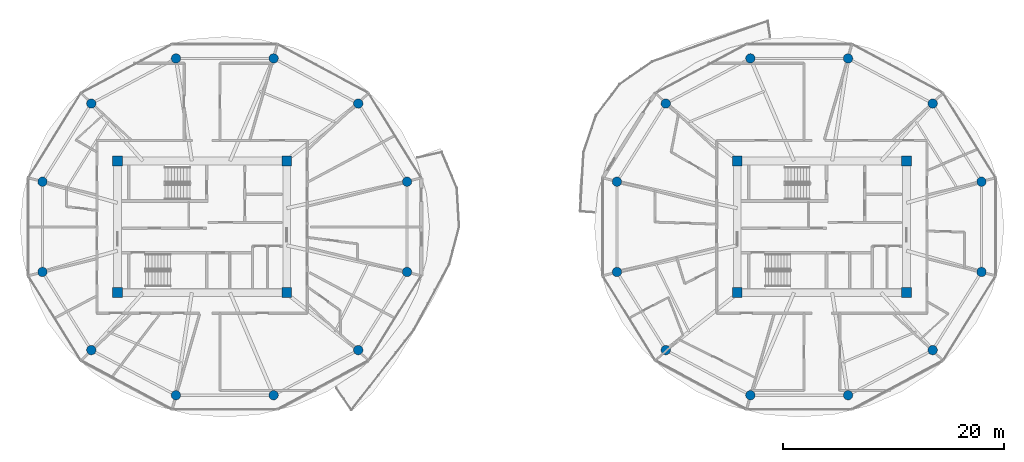
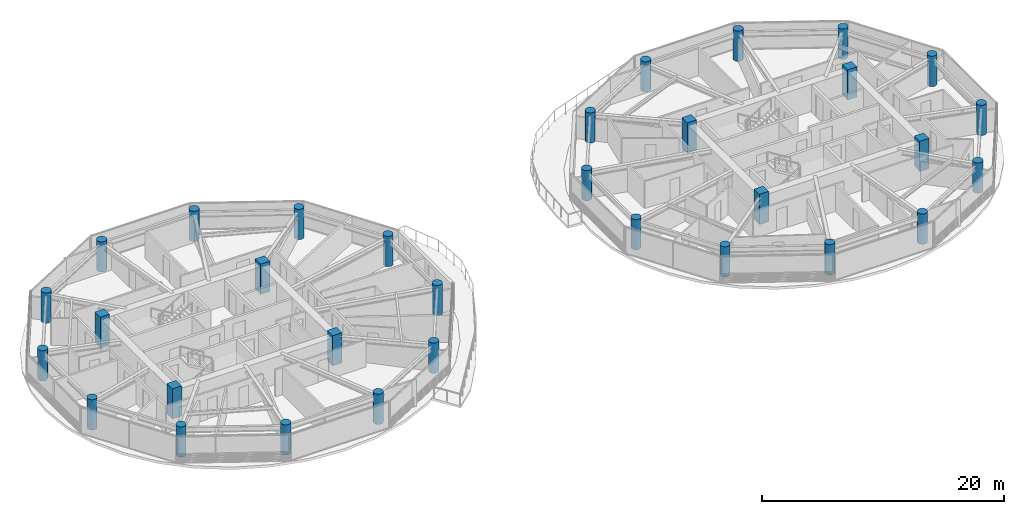
# One storey, part 1 of 22: 32 columns.
"""IFC4 building model written with IfcOpenShell, lengths in metres."""

import ifcopenshell
import ifcopenshell.guid

model = None  # the IFC model being written
_history = None  # IfcOwnerHistory: only IFC2X3 demands one
_inside = {}  # id of a spatial element -> (the spatial element, [elements in it])
_under = {}  # id of a project, library or spatial element -> (it, [spatial elements below it])
_declared = {}  # id of a project -> (the project, [libraries it declares])
_typed = {}  # id of a type object -> (the type object, [elements of that type])
_made_of = {}  # id of a material, layer set ... -> (it, [elements and type objects made of it])


def new_model(schema):
    """Start an empty IFC model of exactly this schema.

    Asked for "IFC4X3", IfcOpenShell would pick the latest addendum, in which some entities
    have other attributes; the version numbers below select the first issue.
    IFC2X3 requires an IfcOwnerHistory on every rooted entity: one is made here for all.
    """
    global model, _history
    if schema == "IFC4X3":
        model = ifcopenshell.file(schema_version=(4, 3, 0, 0))
    else:
        model = ifcopenshell.file(schema=schema)
    _inside.clear()
    _under.clear()
    _declared.clear()
    _typed.clear()
    _made_of.clear()
    _history = None
    if model.schema == "IFC2X3":
        org = make("IfcOrganization", Name="unknown")
        user = make(
            "IfcPersonAndOrganization",
            ThePerson=make("IfcPerson", FamilyName="unknown"),
            TheOrganization=org,
        )
        app = make(
            "IfcApplication",
            ApplicationDeveloper=org,
            Version="unknown",
            ApplicationFullName="unknown",
            ApplicationIdentifier="unknown",
        )
        _history = make(
            "IfcOwnerHistory",
            OwningUser=user,
            OwningApplication=app,
            ChangeAction="ADDED",
            CreationDate=0,
        )
    return model


def make(cls, **values):
    """One entity of the class cls with the attributes given. An attribute that is None is left unset."""
    return model.create_entity(
        cls, **{name: value for name, value in values.items() if value is not None}
    )


def rooted(cls, **values):
    """An entity with a GlobalId (a new one), such as an element, a storey or a relation."""
    return make(cls, GlobalId=ifcopenshell.guid.new(), OwnerHistory=_history, **values)


def si_unit(unit_type, name, prefix=None):
    """IfcSIUnit, for example si_unit("LENGTHUNIT", "METRE", prefix="MILLI")."""
    return make("IfcSIUnit", UnitType=unit_type, Prefix=prefix, Name=name)


def assignment(units):
    """IfcUnitAssignment: the units of a project."""
    return None if units is None else make("IfcUnitAssignment", Units=units)


def point(xyz):
    """IfcCartesianPoint."""
    return None if xyz is None else make("IfcCartesianPoint", Coordinates=xyz)


def direction(xyz):
    """IfcDirection."""
    return None if xyz is None else make("IfcDirection", DirectionRatios=xyz)


def frame(location, z_axis=None, x_axis=None):
    """IfcAxis2Placement3D, a coordinate frame: its origin and axes. An axis left out is left unset."""
    return make(
        "IfcAxis2Placement3D",
        Location=point(location),
        Axis=direction(z_axis),
        RefDirection=direction(x_axis),
    )


def frame_2d(location, x_axis=None):
    """IfcAxis2Placement2D, a coordinate frame in the plane: its origin and x axis."""
    return make(
        "IfcAxis2Placement2D", Location=point(location), RefDirection=direction(x_axis)
    )


def origin():
    """The frame at (0, 0, 0) with its axes left unset."""
    return frame((0.0, 0.0, 0.0))


def origin_2d():
    """The frame at (0, 0) in the plane with its x axis left unset."""
    return frame_2d((0.0, 0.0))


def place(relative_to, where):
    """IfcLocalPlacement: puts the frame where relative to a parent placement (None: the world)."""
    return make(
        "IfcLocalPlacement", PlacementRelTo=relative_to, RelativePlacement=where
    )


def context(
    kind, dimensions, precision=None, world=None, true_north=None, identifier=None
):
    """IfcGeometricRepresentationContext, for example the 3D "Model" context."""
    return make(
        "IfcGeometricRepresentationContext",
        ContextIdentifier=identifier,
        ContextType=kind,
        CoordinateSpaceDimension=dimensions,
        Precision=precision,
        WorldCoordinateSystem=world,
        TrueNorth=true_north,
    )


def subcontext(parent, identifier, kind, view, scale=None):
    """IfcGeometricRepresentationSubContext, for example "Body" below "Model"."""
    return make(
        "IfcGeometricRepresentationSubContext",
        ContextIdentifier=identifier,
        ContextType=kind,
        ParentContext=parent,
        TargetScale=scale,
        TargetView=view,
    )


def project(units=None, contexts=None):
    """IfcProject with its units and contexts."""
    return rooted(
        "IfcProject",
        Name="project",
        RepresentationContexts=contexts,
        UnitsInContext=assignment(units),
    )


def spatial(cls, under=None, at=None, **own):
    """A site, building, storey or space (cls), placed at a placement, below another one or the project."""
    s = rooted(cls, ObjectPlacement=at, **own)
    if under is not None:
        _under.setdefault(under.id(), (under, []))[1].append(s)
    return s


def profile(cls, at=None, kind="AREA", **sizes):
    """A parametric profile (cls). Its sizes go by their IFC names, for example OverallWidth=200.0."""
    return make(cls, ProfileType=kind, Position=at, **sizes)


def rectangle(**sizes):
    """IfcRectangleProfileDef."""
    return profile("IfcRectangleProfileDef", **sizes)


def circle(**sizes):
    """IfcCircleProfileDef."""
    return profile("IfcCircleProfileDef", **sizes)


def extrude(swept, where, along, depth):
    """IfcExtrudedAreaSolid: the profile swept, set in the frame where, extruded along a direction by depth."""
    return make(
        "IfcExtrudedAreaSolid",
        SweptArea=swept,
        Position=where,
        ExtrudedDirection=direction(along),
        Depth=depth,
    )


def shape(context_of_items, identifier, shape_type, items):
    """IfcShapeRepresentation: the items that make up one representation, for example the "Body"."""
    return make(
        "IfcShapeRepresentation",
        ContextOfItems=context_of_items,
        RepresentationIdentifier=identifier,
        RepresentationType=shape_type,
        Items=items,
    )


def source(mapping_origin, context_of_items, identifier, shape_type, items):
    """IfcRepresentationMap: a shape defined once, which mapped items show again and again."""
    return make(
        "IfcRepresentationMap",
        MappingOrigin=mapping_origin,
        MappedRepresentation=shape(context_of_items, identifier, shape_type, items),
    )


def transform(
    local_origin,
    x_axis=None,
    y_axis=None,
    z_axis=None,
    scale=None,
    scale2=None,
    scale3=None,
    uniform=True,
):
    """IfcCartesianTransformationOperator3D, or its non-uniform kind. x_axis, y_axis, z_axis: its Axis1, 2, 3."""
    if uniform:
        return make(
            "IfcCartesianTransformationOperator3D",
            Axis1=direction(x_axis),
            Axis2=direction(y_axis),
            LocalOrigin=point(local_origin),
            Scale=scale,
            Axis3=direction(z_axis),
        )
    return make(
        "IfcCartesianTransformationOperator3DnonUniform",
        Axis1=direction(x_axis),
        Axis2=direction(y_axis),
        LocalOrigin=point(local_origin),
        Scale=scale,
        Axis3=direction(z_axis),
        Scale2=scale2,
        Scale3=scale3,
    )


def mapped(mapping_source, mapping_target):
    """IfcMappedItem: shows the shape of a source again, moved by a transform."""
    return make(
        "IfcMappedItem", MappingSource=mapping_source, MappingTarget=mapping_target
    )


def material(Name=None, Category=None):
    """IfcMaterial."""
    return make("IfcMaterial", Name=Name, Category=Category)


def material_profile(
    of_material, cross_section, Name=None, Category=None, Priority=None
):
    """IfcMaterialProfile: a cross section and its material."""
    return make(
        "IfcMaterialProfile",
        Name=Name,
        Material=of_material,
        Profile=cross_section,
        Priority=Priority,
        Category=Category,
    )


def profile_set(profiles, Name=None, composite=None):
    """IfcMaterialProfileSet."""
    return make(
        "IfcMaterialProfileSet",
        Name=Name,
        MaterialProfiles=profiles,
        CompositeProfile=composite,
    )


def made_of(thing, what):
    """Note that an element or type object is made of a material, layer set ...; save() writes the relation."""
    if what is not None:
        _made_of.setdefault(what.id(), (what, []))[1].append(thing)
    return thing


def type_object(cls, material=None, **own):
    """A type object (cls), such as IfcWallType, which elements share."""
    return made_of(rooted(cls, **own), material)


def type_shapes(of_type, sources):
    """Give a type object the sources (RepresentationMaps) that its elements show as mapped items."""
    of_type.RepresentationMaps = sources


def element(
    cls,
    number,
    at=None,
    inside=None,
    cuts=None,
    type_object=None,
    material=None,
    context=None,
    identifier="Body",
    shape_type=None,
    held_by="IfcProductDefinitionShape",
    body=None,
    shapes=None,
    **own,
):
    """One element of the class cls, such as IfcWall. Its Tag is "e" and its number.

    at: its placement. inside: the storey or other place that contains it. cuts: it is an
    opening in that element (IfcRelVoidsElement). A single representation is given by context,
    identifier, shape_type and body (its items); several are given by shapes. held_by: the class
    of the entity that holds the representations. save() writes the other relations.
    """
    e = rooted(cls, Tag="e%d" % number, ObjectPlacement=at, **own)
    if body is not None:
        shapes = [shape(context, identifier, shape_type, body)]
    if shapes is not None:
        e.Representation = make(held_by, Representations=shapes)
    if inside is not None:
        _inside.setdefault(inside.id(), (inside, []))[1].append(e)
    if cuts is not None:
        rooted(
            "IfcRelVoidsElement", RelatingBuildingElement=cuts, RelatedOpeningElement=e
        )
    if type_object is not None:
        _typed.setdefault(type_object.id(), (type_object, []))[1].append(e)
    return made_of(e, material)


def aggregate(whole, parts):
    """IfcRelAggregates: a whole, such as a stair, and the parts it consists of."""
    return rooted("IfcRelAggregates", RelatingObject=whole, RelatedObjects=parts)


def save(model, path):
    """Write the relations noted so far, then the file.

    IfcRelAggregates (storeys below a building ...), IfcRelContainedInSpatialStructure (elements
    in a storey), IfcRelDefinesByType, IfcRelAssociatesMaterial and IfcRelDeclares: one each for
    every whole, place, type object, material and project.
    """
    for whole, parts in _under.values():
        aggregate(whole, parts)
    for where, things in _inside.values():
        rooted(
            "IfcRelContainedInSpatialStructure",
            RelatedElements=things,
            RelatingStructure=where,
        )
    for kind, things in _typed.values():
        rooted("IfcRelDefinesByType", RelatedObjects=things, RelatingType=kind)
    for what, things in _made_of.values():
        rooted("IfcRelAssociatesMaterial", RelatedObjects=things, RelatingMaterial=what)
    for by, libraries in _declared.values():
        rooted("IfcRelDeclares", RelatingContext=by, RelatedDefinitions=libraries)
    model.write(path)


model = new_model("IFC4")

# Units and contexts
model_context = context("Model", 3, precision=1e-05, world=origin(), true_north=direction((0.0, 1.0)))
body_context = subcontext(model_context, "Body", "Model", "MODEL_VIEW")
ifc_project = project(units=[si_unit("LENGTHUNIT", "METRE"), si_unit("AREAUNIT", "SQUARE_METRE"), si_unit("VOLUMEUNIT", "CUBIC_METRE"), si_unit("PLANEANGLEUNIT", "RADIAN"), si_unit("MASSUNIT", "GRAM", prefix="KILO")], contexts=[model_context])

# Site, building, storey
site_placement = place(None, origin())
site = spatial("IfcSite", under=ifc_project, at=site_placement, CompositionType="ELEMENT")
building_placement = place(site_placement, origin())
building = spatial("IfcBuilding", under=site, at=building_placement, Name="Norrkilde Senior Care Towers", CompositionType="ELEMENT")
storey_placement = place(building_placement, frame((0.0, 0.0, 126.75)))
storey = spatial("IfcBuildingStorey", under=building, at=storey_placement, Name="L39", CompositionType="ELEMENT", Elevation=126.75)

# Columns
ifc_material = material(Name="Concrete C60/75", Category="concrete")
ifc_material_profile_1 = material_profile(ifc_material, rectangle(XDim=0.89990234375, YDim=0.89990234375, at=origin_2d()), Name="RC COL 900x900")
ifc_profile_set_1 = profile_set([ifc_material_profile_1], Name="Concrete C60/75")
column_type_1 = type_object("IfcColumnType", Name="Column Core Corner Z1-Z2 900", PredefinedType="COLUMN", material=ifc_profile_set_1)
shared_shape_1 = source(origin(), body_context, "Body", "SweptSolid", [
    extrude(rectangle(XDim=0.89990234375, YDim=0.89990234375, at=origin_2d()), origin(), (0.0, 0.0, 1.0), 3.050048828125),
])
type_shapes(column_type_1, [shared_shape_1])
for number, where, z_axis, x_axis, name in (
    (1, (-35.64990234375, -5.949951171875, 0.0), (0.0, 0.0, 1.0), (1.0, 0.0, 0.0), "L39 Core W Corner Column 1"),
    (2, (-20.35009765625, -5.949951171875, 0.0), (0.0, 0.0, 1.0), (1.0, 0.0, 0.0), "L39 Core W Corner Column 2"),
    (3, (-20.35009765625, 5.949951171875, 0.0), (0.0, 0.0, 1.0), (1.0, 0.0, 0.0), "L39 Core W Corner Column 3"),
    (4, (-35.64990234375, 5.949951171875, 0.0), (0.0, 0.0, 1.0), (1.0, 0.0, 0.0), "L39 Core W Corner Column 4"),
    (5, (20.35009765625, -5.949951171875, 0.0), (0.0, 0.0, 1.0), (1.0, 0.0, 0.0), "L39 Core E Corner Column 1"),
    (6, (35.64990234375, -5.949951171875, 0.0), (0.0, 0.0, 1.0), (1.0, 0.0, 0.0), "L39 Core E Corner Column 2"),
    (7, (35.64990234375, 5.949951171875, 0.0), (0.0, 0.0, 1.0), (1.0, 0.0, 0.0), "L39 Core E Corner Column 3"),
    (8, (20.35009765625, 5.949951171875, 0.0), (0.0, 0.0, 1.0), (1.0, 0.0, 0.0), "L39 Core E Corner Column 4"),
):
    element("IfcColumn", number, at=place(storey_placement, frame(where, z_axis=z_axis, x_axis=x_axis)), inside=storey, type_object=column_type_1, Name=name, PredefinedType="COLUMN", context=body_context, shape_type="MappedRepresentation", body=[
        mapped(shared_shape_1, transform((0.0, 0.0, 0.0), x_axis=(1.0, 0.0, 0.0), y_axis=(0.0, 1.0, 0.0), z_axis=(0.0, 0.0, 1.0), scale=1.0)),
    ])
ifc_material_profile_2 = material_profile(ifc_material, circle(Radius=0.425048828125, at=origin_2d()), Name="RC CIR 850")
ifc_profile_set_2 = profile_set([ifc_material_profile_2], Name="Concrete C60/75")
column_type_2 = type_object("IfcColumnType", Name="Column Perimeter Z2 850", PredefinedType="COLUMN", material=ifc_profile_set_2)
shared_shape_2 = source(origin(), body_context, "Body", "SweptSolid", [
    extrude(circle(Radius=0.425048828125, at=origin_2d()), origin(), (0.0, 0.0, 1.0), 3.050048828125),
])
type_shapes(column_type_2, [shared_shape_2])
for number, where, z_axis, x_axis, name in (
    (9, (-9.48095703125, 4.076416015625, 0.0), (0.0, 0.0, 1.0), (1.0, 0.0, 0.0), "L39 Drum W Perimeter Column 01"),
    (10, (-13.893798828125, 11.136962890625, 0.0), (0.0, 0.0, 1.0), (1.0, 0.0, 0.0), "L39 Drum W Perimeter Column 02"),
    (11, (-21.537109375, 15.21337890625, 0.0), (0.0, 0.0, 1.0), (1.0, 0.0, 0.0), "L39 Drum W Perimeter Column 03"),
    (12, (-30.36279296875, 15.21337890625, 0.0), (0.0, 0.0, 1.0), (1.0, 0.0, 0.0), "L39 Drum W Perimeter Column 04"),
    (13, (-38.006103515625, 11.136962890625, 0.0), (0.0, 0.0, 1.0), (1.0, 0.0, 0.0), "L39 Drum W Perimeter Column 05"),
    (14, (-42.4189453125, 4.076416015625, 0.0), (0.0, 0.0, 1.0), (1.0, 0.0, 0.0), "L39 Drum W Perimeter Column 06"),
    (15, (-42.4189453125, -4.076416015625, 0.0), (0.0, 0.0, 1.0), (1.0, 0.0, 0.0), "L39 Drum W Perimeter Column 07"),
    (16, (-38.006103515625, -11.136962890625, 0.0), (0.0, 0.0, 1.0), (1.0, 0.0, 0.0), "L39 Drum W Perimeter Column 08"),
    (17, (-30.36279296875, -15.21337890625, 0.0), (0.0, 0.0, 1.0), (1.0, 0.0, 0.0), "L39 Drum W Perimeter Column 09"),
    (18, (-21.537109375, -15.21337890625, 0.0), (0.0, 0.0, 1.0), (1.0, 0.0, 0.0), "L39 Drum W Perimeter Column 10"),
    (19, (-13.893798828125, -11.136962890625, 0.0), (0.0, 0.0, 1.0), (1.0, 0.0, 0.0), "L39 Drum W Perimeter Column 11"),
    (20, (-9.48095703125, -4.076416015625, 0.0), (0.0, 0.0, 1.0), (1.0, 0.0, 0.0), "L39 Drum W Perimeter Column 12"),
    (21, (42.4189453125, 4.076416015625, 0.0), (0.0, 0.0, 1.0), (1.0, 0.0, 0.0), "L39 Drum E Perimeter Column 01"),
    (22, (38.006103515625, 11.136962890625, 0.0), (0.0, 0.0, 1.0), (1.0, 0.0, 0.0), "L39 Drum E Perimeter Column 02"),
    (23, (30.36279296875, 15.21337890625, 0.0), (0.0, 0.0, 1.0), (1.0, 0.0, 0.0), "L39 Drum E Perimeter Column 03"),
    (24, (21.537109375, 15.21337890625, 0.0), (0.0, 0.0, 1.0), (1.0, 0.0, 0.0), "L39 Drum E Perimeter Column 04"),
    (25, (13.893798828125, 11.136962890625, 0.0), (0.0, 0.0, 1.0), (1.0, 0.0, 0.0), "L39 Drum E Perimeter Column 05"),
    (26, (9.48095703125, 4.076416015625, 0.0), (0.0, 0.0, 1.0), (1.0, 0.0, 0.0), "L39 Drum E Perimeter Column 06"),
    (27, (9.48095703125, -4.076416015625, 0.0), (0.0, 0.0, 1.0), (1.0, 0.0, 0.0), "L39 Drum E Perimeter Column 07"),
    (28, (13.893798828125, -11.136962890625, 0.0), (0.0, 0.0, 1.0), (1.0, 0.0, 0.0), "L39 Drum E Perimeter Column 08"),
    (29, (21.537109375, -15.21337890625, 0.0), (0.0, 0.0, 1.0), (1.0, 0.0, 0.0), "L39 Drum E Perimeter Column 09"),
    (30, (30.36279296875, -15.21337890625, 0.0), (0.0, 0.0, 1.0), (1.0, 0.0, 0.0), "L39 Drum E Perimeter Column 10"),
    (31, (38.006103515625, -11.136962890625, 0.0), (0.0, 0.0, 1.0), (1.0, 0.0, 0.0), "L39 Drum E Perimeter Column 11"),
    (32, (42.4189453125, -4.076416015625, 0.0), (0.0, 0.0, 1.0), (1.0, 0.0, 0.0), "L39 Drum E Perimeter Column 12"),
):
    element("IfcColumn", number, at=place(storey_placement, frame(where, z_axis=z_axis, x_axis=x_axis)), inside=storey, type_object=column_type_2, Name=name, PredefinedType="COLUMN", context=body_context, shape_type="MappedRepresentation", body=[
        mapped(shared_shape_2, transform((0.0, 0.0, 0.0), x_axis=(1.0, 0.0, 0.0), y_axis=(0.0, 1.0, 0.0), z_axis=(0.0, 0.0, 1.0), scale=1.0)),
    ])

save(model, "model.ifc")
